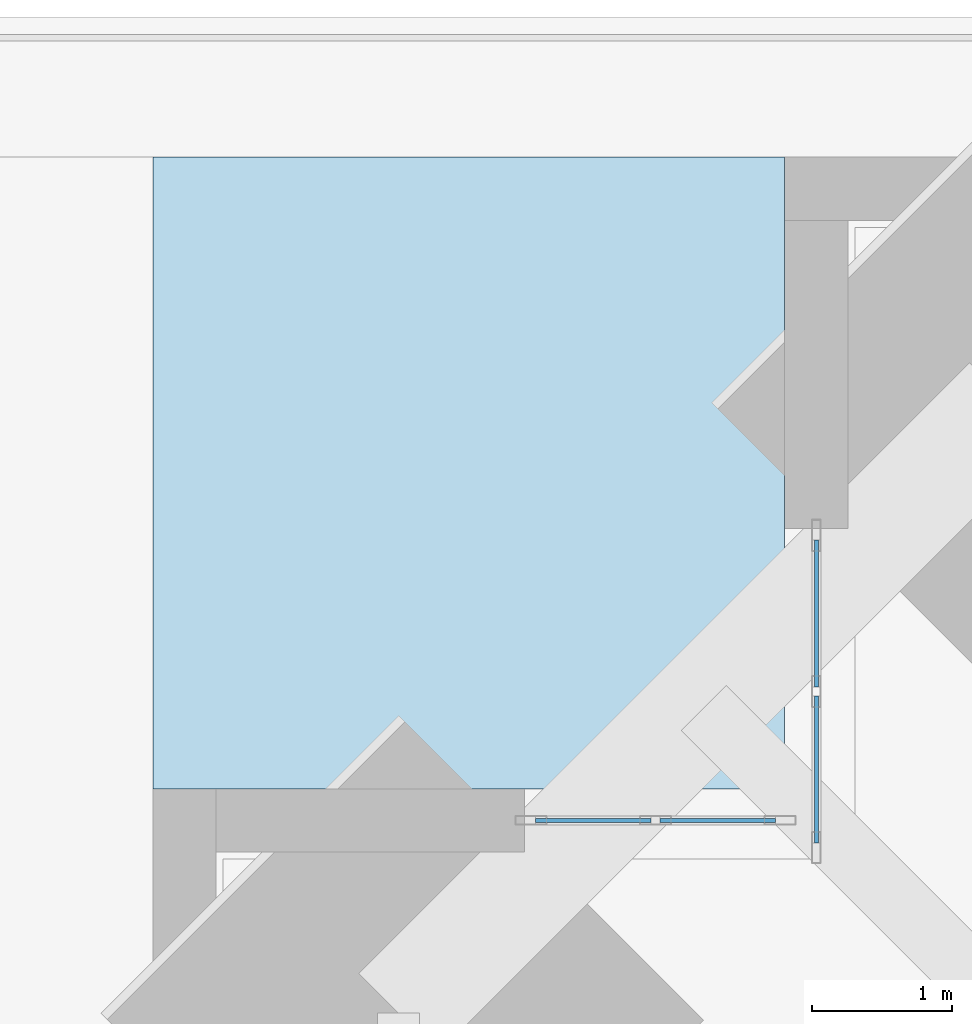
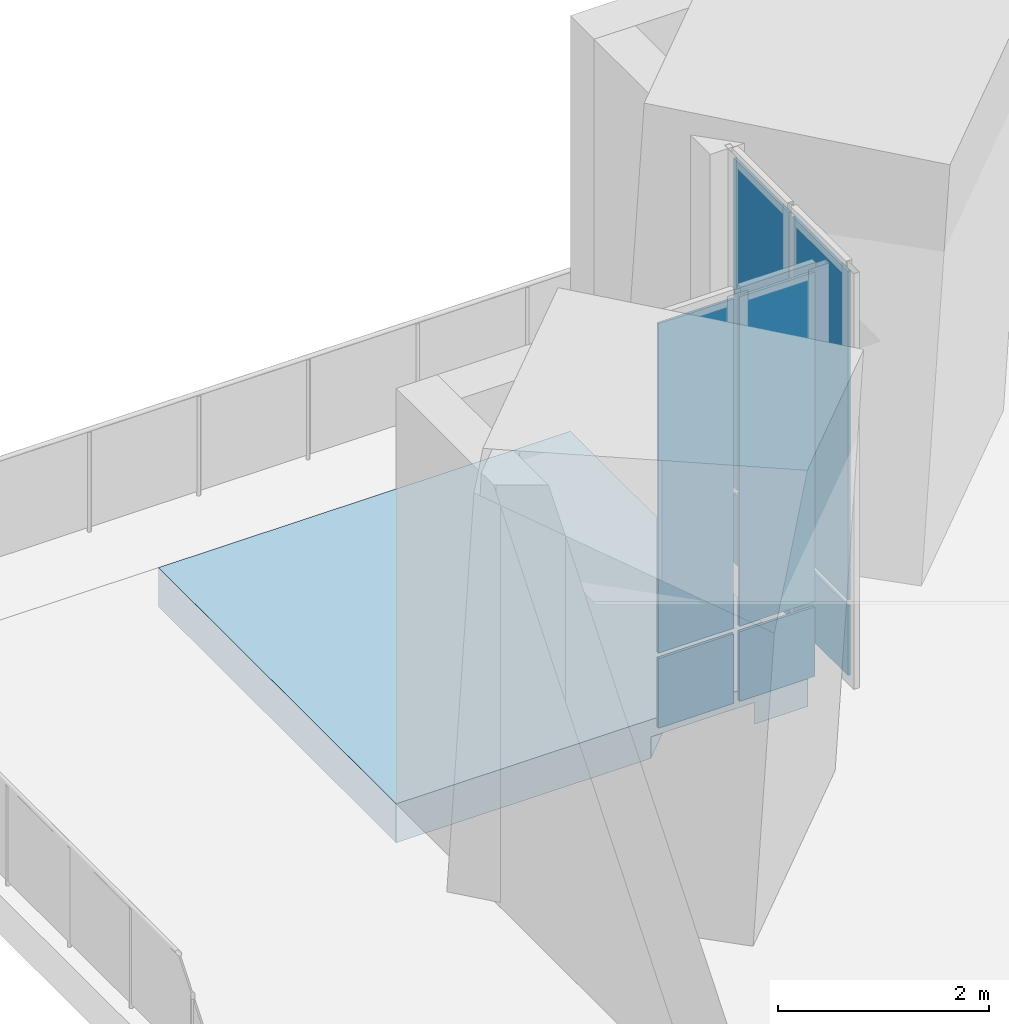
# One storey, part 16 of 26: 8 plates, 1 slab, 2 elements without a shape of their own.
"""IFC4 building model written with IfcOpenShell, lengths in metres."""

from ifc_helpers import new_model, si_unit, direction, frame, origin, origin_2d, place, context, subcontext, project, spatial, polyline, rectangle, outline, extrude, boolean, material, layer, layer_set, type_object, element, aggregate, save


model = new_model("IFC4")

# Units and contexts
model_context = context("Model", 3, precision=1e-05, world=origin(), true_north=direction((0.0, 1.0)))
body_context = subcontext(model_context, "Body", "Model", "MODEL_VIEW")
ifc_project = project(units=[si_unit("LENGTHUNIT", "METRE"), si_unit("AREAUNIT", "SQUARE_METRE"), si_unit("VOLUMEUNIT", "CUBIC_METRE"), si_unit("PLANEANGLEUNIT", "RADIAN"), si_unit("MASSUNIT", "GRAM", prefix="KILO")], contexts=[model_context])

# Site, building, storey
site_placement = place(None, origin())
site = spatial("IfcSite", under=ifc_project, at=site_placement, CompositionType="ELEMENT")
building_placement = place(site_placement, origin())
building = spatial("IfcBuilding", under=site, at=building_placement, Name="Peilmerk Tower", CompositionType="ELEMENT")
storey_placement = place(building_placement, frame((0.0, 0.0, 16.0)))
storey = spatial("IfcBuildingStorey", under=building, at=storey_placement, Name="L03", CompositionType="ELEMENT", Elevation=16.0)

# Curtain wall, plates
ifc_material_1 = material(Name="Aluminium stick curtain wall", Category="aluminium")
curtain_wall_type = type_object("IfcCurtainWallType", Name="CW1 stick curtain wall, 1500 module", PredefinedType="NOTDEFINED", material=ifc_material_1)
curtain_wall_1_placement = place(storey_placement, origin())
curtain_wall_1 = element("IfcCurtainWall", 1, at=curtain_wall_1_placement, inside=storey, type_object=curtain_wall_type, Name="Curtain wall CW1 NWA L03", PredefinedType="NOTDEFINED")
ifc_material_2 = material(Name="Clear insulated glazing unit", Category="glass")
ifc_layer_1 = layer(ifc_material_2, 0.028076171875)
ifc_layer_set_1 = layer_set([ifc_layer_1], Name="Clear insulated glazing unit")
plate_type = type_object("IfcPlateType", Name="CW1-P 28 glazed panel", PredefinedType="CURTAIN_PANEL", material=ifc_layer_set_1)
plate_1_placement = place(storey_placement, frame((-27.27490234375, 27.638427734375, 0.06494140625), z_axis=(0.0, 0.0, 1.0), x_axis=(0.0, 1.0, 0.0)))
plate_1 = element("IfcPlate", 2, at=plate_1_placement, type_object=plate_type, Name="CW1 panel 1.1", PredefinedType="CURTAIN_PANEL", context=body_context, shape_type="SweptSolid", body=[
    extrude(rectangle(XDim=1.046875, YDim=0.028076171875, at=origin_2d()), origin(), (0.0, 0.0, 1.0), 0.802490234375),
])
plate_2_placement = place(storey_placement, frame((-27.27490234375, 27.638427734375, 0.9326171875), z_axis=(0.0, 0.0, 1.0), x_axis=(0.0, 1.0, 0.0)))
plate_2 = element("IfcPlate", 3, at=plate_2_placement, type_object=plate_type, Name="CW1 panel 1.2", PredefinedType="CURTAIN_PANEL", context=body_context, shape_type="SweptSolid", body=[
    extrude(rectangle(XDim=1.046875, YDim=0.028076171875, at=origin_2d()), origin(), (0.0, 0.0, 1.0), 3.802490234375),
])
plate_3_placement = place(storey_placement, frame((-27.27490234375, 28.750244140625, 0.06494140625), z_axis=(0.0, 0.0, 1.0), x_axis=(0.0, 1.0, 0.0)))
plate_3 = element("IfcPlate", 4, at=plate_3_placement, type_object=plate_type, Name="CW1 panel 2.1", PredefinedType="CURTAIN_PANEL", context=body_context, shape_type="SweptSolid", body=[
    extrude(rectangle(XDim=1.046875, YDim=0.028076171875, at=origin_2d()), origin(), (0.0, 0.0, 1.0), 0.802490234375),
])
plate_4_placement = place(storey_placement, frame((-27.27490234375, 28.750244140625, 0.9326171875), z_axis=(0.0, 0.0, 1.0), x_axis=(0.0, 1.0, 0.0)))
plate_4 = element("IfcPlate", 5, at=plate_4_placement, type_object=plate_type, Name="CW1 panel 2.2", PredefinedType="CURTAIN_PANEL", context=body_context, shape_type="SweptSolid", body=[
    extrude(rectangle(XDim=1.046875, YDim=0.028076171875, at=origin_2d()), origin(), (0.0, 0.0, 1.0), 3.802490234375),
])
aggregate(curtain_wall_1, [plate_1, plate_2, plate_3, plate_4])

curtain_wall_2_placement = place(storey_placement, origin())
curtain_wall_2 = element("IfcCurtainWall", 6, at=curtain_wall_2_placement, inside=storey, type_object=curtain_wall_type, Name="Curtain wall CW1 NWB L03", PredefinedType="NOTDEFINED")
plate_5_placement = place(storey_placement, frame((-27.975830078125, 27.27490234375, 0.06494140625), z_axis=(0.0, 0.0, 1.0), x_axis=(-1.0, 0.0, 0.0)))
plate_5 = element("IfcPlate", 7, at=plate_5_placement, type_object=plate_type, Name="CW1 panel 1.1", PredefinedType="CURTAIN_PANEL", context=body_context, shape_type="SweptSolid", body=[
    extrude(rectangle(XDim=0.82177734375, YDim=0.028076171875, at=origin_2d()), origin(), (0.0, 0.0, 1.0), 0.802490234375),
])
plate_6_placement = place(storey_placement, frame((-27.975830078125, 27.27490234375, 0.9326171875), z_axis=(0.0, 0.0, 1.0), x_axis=(-1.0, 0.0, 0.0)))
plate_6 = element("IfcPlate", 8, at=plate_6_placement, type_object=plate_type, Name="CW1 panel 1.2", PredefinedType="CURTAIN_PANEL", context=body_context, shape_type="SweptSolid", body=[
    extrude(rectangle(XDim=0.82177734375, YDim=0.028076171875, at=origin_2d()), origin(), (0.0, 0.0, 1.0), 3.802490234375),
])
plate_7_placement = place(storey_placement, frame((-28.86279296875, 27.27490234375, 0.06494140625), z_axis=(0.0, 0.0, 1.0), x_axis=(-1.0, 0.0, 0.0)))
plate_7 = element("IfcPlate", 9, at=plate_7_placement, type_object=plate_type, Name="CW1 panel 2.1", PredefinedType="CURTAIN_PANEL", context=body_context, shape_type="SweptSolid", body=[
    extrude(rectangle(XDim=0.82177734375, YDim=0.028076171875, at=origin_2d()), origin(), (0.0, 0.0, 1.0), 0.802490234375),
])
plate_8_placement = place(storey_placement, frame((-28.86279296875, 27.27490234375, 0.9326171875), z_axis=(0.0, 0.0, 1.0), x_axis=(-1.0, 0.0, 0.0)))
plate_8 = element("IfcPlate", 10, at=plate_8_placement, type_object=plate_type, Name="CW1 panel 2.2", PredefinedType="CURTAIN_PANEL", context=body_context, shape_type="SweptSolid", body=[
    extrude(rectangle(XDim=0.82177734375, YDim=0.028076171875, at=origin_2d()), origin(), (0.0, 0.0, 1.0), 3.802490234375),
])
aggregate(curtain_wall_2, [plate_5, plate_6, plate_7, plate_8])

# Slab
ifc_material_3 = material(Name="Concrete C35/45", Category="concrete")
ifc_layer_2 = layer(ifc_material_3, 0.449951171875)
ifc_layer_set_2 = layer_set([ifc_layer_2], Name="Concrete C35/45")
slab_type = type_object("IfcSlabType", Name="TS450 450 terrace roof slab", PredefinedType="ROOF", material=ifc_layer_set_2)
slab_placement = place(storey_placement, frame((0.0, 0.0, -0.449951171875)))
element("IfcSlab", 11, at=slab_placement, inside=storey, type_object=slab_type, Name="Terrace slab L03 NW", PredefinedType="ROOF", context=body_context, shape_type="CSG", body=[
    boolean("DIFFERENCE", extrude(outline(polyline([(-27.5, 27.5), (-27.5, 32.0), (-32.0, 32.0), (-32.0, 27.5), (-27.5, 27.5)])), origin(), (0.0, 0.0, 1.0), 0.449951171875), extrude(outline(polyline([(-29.218994140625, 27.5), (-27.5, 29.218994140625), (-27.5, 28.08740234375), (-28.08740234375, 27.5), (-29.218994140625, 27.5)])), frame((0.0, 0.0, -0.010009765625)), (0.0, 0.0, 1.0), 0.260009765625)),
])

save(model, "model.ifc")
